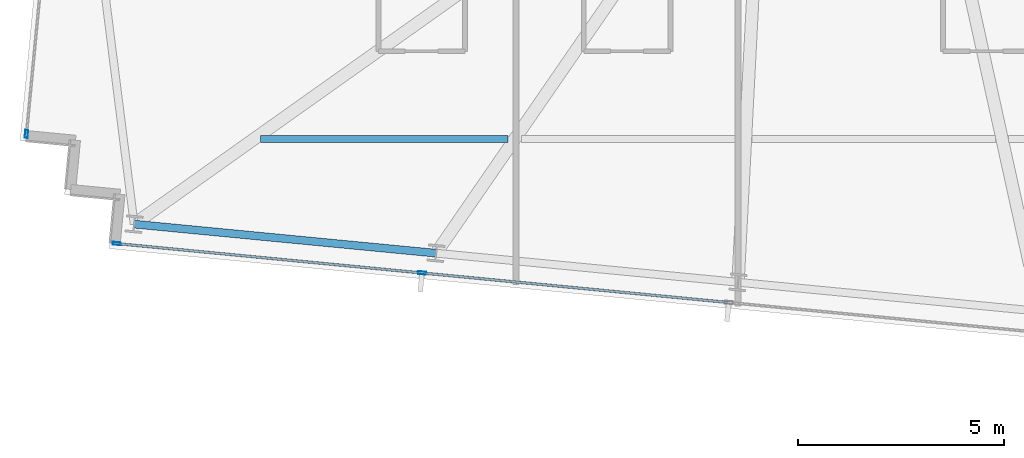
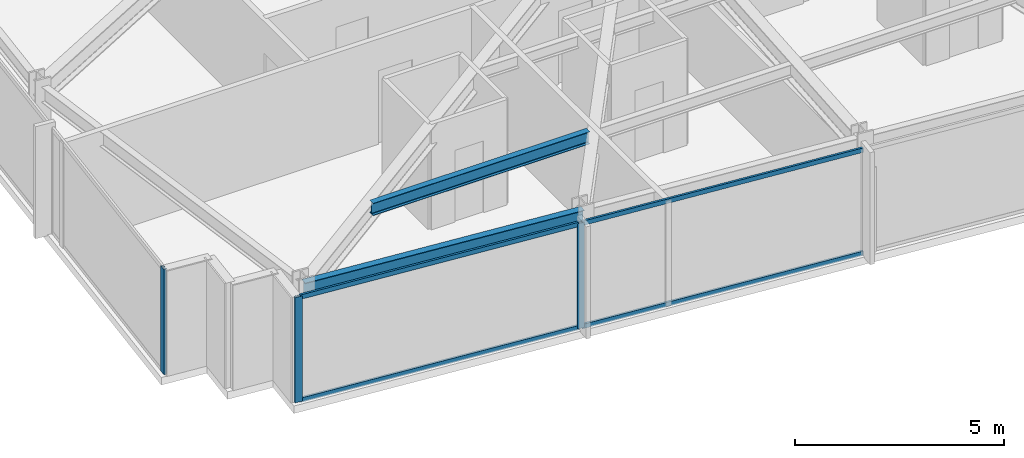
# One storey, part 2 of 37: 7 members, 2 beams, 2 elements without a shape of their own.
"""IFC4 building model written with IfcOpenShell, lengths in metres."""

from ifc_helpers import new_model, si_unit, direction, frame, origin, origin_2d, place, context, subcontext, project, spatial, hollow_rectangle, i_section, extrude, material, material_profile, profile_set, type_object, element, aggregate, save


model = new_model("IFC4")

# Units and contexts
model_context = context("Model", 3, precision=1e-05, world=origin(), true_north=direction((0.0, 1.0)))
body_context = subcontext(model_context, "Body", "Model", "MODEL_VIEW")
ifc_project = project(units=[si_unit("LENGTHUNIT", "METRE"), si_unit("AREAUNIT", "SQUARE_METRE"), si_unit("VOLUMEUNIT", "CUBIC_METRE"), si_unit("PLANEANGLEUNIT", "RADIAN"), si_unit("MASSUNIT", "GRAM", prefix="KILO")], contexts=[model_context])

# Site, building, storey
site_placement = place(None, origin())
site = spatial("IfcSite", under=ifc_project, at=site_placement, CompositionType="ELEMENT")
building_placement = place(site_placement, origin())
building = spatial("IfcBuilding", under=site, at=building_placement, Name="Yelkora Congress Tower", CompositionType="ELEMENT")
storey_placement = place(building_placement, frame((0.0, 0.0, 165.5)))
storey = spatial("IfcBuildingStorey", under=building, at=storey_placement, Name="L45", CompositionType="ELEMENT", Elevation=165.5)

# Beams
ifc_material_1 = material(Name="Steel S355J2", Category="steel")
ifc_material_profile_1 = material_profile(ifc_material_1, i_section(OverallWidth=0.169921875, OverallDepth=0.360107421875, WebThickness=0.008056640625, FlangeThickness=0.0126953125, FilletRadius=0.01806640625, at=origin_2d()), Name="IPE 360")
ifc_profile_set_1 = profile_set([ifc_material_profile_1], Name="Steel S355J2")
beam_type_1 = type_object("IfcBeamType", Name="BM-JOIST-IPE360", PredefinedType="JOIST", material=ifc_profile_set_1)
beam_1_placement = place(storey_placement, frame((6.98779296875, 16.421142578125, 2.89990234375), z_axis=(1.0, 0.0, 0.0), x_axis=(0.0, 1.0, 0.0)))
element("IfcBeam", 1, at=beam_1_placement, inside=storey, type_object=beam_type_1, Name="L45 Composite Floor Joist 5", PredefinedType="JOIST", context=body_context, shape_type="SweptSolid", body=[
    extrude(i_section(OverallWidth=0.169921875, OverallDepth=0.360107421875, WebThickness=0.008056640625, FlangeThickness=0.0126953125, FilletRadius=0.01806640625, at=origin_2d()), origin(), (0.0, 0.0, 1.0), 6.002685546875),
])
ifc_material_profile_2 = material_profile(ifc_material_1, i_section(OverallWidth=0.18994140625, OverallDepth=0.449951171875, WebThickness=0.009521484375, FlangeThickness=0.0146484375, FilletRadius=0.02099609375, at=origin_2d()), Name="IPE 450")
ifc_profile_set_2 = profile_set([ifc_material_profile_2], Name="Steel S355J2")
beam_type_2 = type_object("IfcBeamType", Name="BM-SPAN-IPE450", PredefinedType="SPANDREL", material=ifc_profile_set_2)
beam_2_placement = place(storey_placement, frame((3.919189453125, 14.357421875, 2.85498046875), z_axis=(0.995393938538, -0.095869218844, 0.0), x_axis=(0.095869218844, 0.995393938538, 0.0)))
element("IfcBeam", 2, at=beam_2_placement, inside=storey, type_object=beam_type_2, Name="L45 Perimeter Beam 2", PredefinedType="SPANDREL", context=body_context, shape_type="SweptSolid", body=[
    extrude(i_section(OverallWidth=0.18994140625, OverallDepth=0.449951171875, WebThickness=0.009521484375, FlangeThickness=0.0146484375, FilletRadius=0.02099609375, at=origin_2d()), origin(), (0.0, 0.0, 1.0), 7.357177734375),
])

# Curtain wall, member
ifc_material_2 = material(Name="Anodised aluminium and insulated glass", Category="aluminium")
curtain_wall_type = type_object("IfcCurtainWallType", Name="CW-SYS-B3", PredefinedType="NOTDEFINED", material=ifc_material_2)
curtain_wall_1_placement = place(storey_placement, origin())
curtain_wall_1 = element("IfcCurtainWall", 3, at=curtain_wall_1_placement, inside=storey, type_object=curtain_wall_type, Name="L45 Unitised Curtain Wall 5", PredefinedType="NOTDEFINED")
ifc_material_3 = material(Name="Anodised aluminium 6063-T6", Category="aluminium")
ifc_material_profile_3 = material_profile(ifc_material_3, hollow_rectangle(XDim=0.070068359375, YDim=0.18994140625, WallThickness=0.00390625, at=origin_2d()), Name="ALU 70x190x4")
ifc_profile_set_3 = profile_set([ifc_material_profile_3], Name="Anodised aluminium 6063-T6")
member_type_1 = type_object("IfcMemberType", Name="MEM-ML-B3", PredefinedType="MULLION", material=ifc_profile_set_3)
member_1_placement = place(storey_placement, frame((1.306640625, 16.542724609375, 0.0), z_axis=(0.0, 0.0, 1.0), x_axis=(-0.995396242473, 0.095845294465, 0.0)))
member_1 = element("IfcMember", 4, at=member_1_placement, type_object=member_type_1, Name="CW-B3 mullion 1", PredefinedType="MULLION", context=body_context, shape_type="SweptSolid", body=[
    extrude(hollow_rectangle(XDim=0.070068359375, YDim=0.18994140625, WallThickness=0.00390625, at=origin_2d()), origin(), (0.0, 0.0, 1.0), 3.080078125),
])
aggregate(curtain_wall_1, [member_1])

# Curtain wall, members
curtain_wall_2_placement = place(storey_placement, origin())
curtain_wall_2 = element("IfcCurtainWall", 5, at=curtain_wall_2_placement, inside=storey, type_object=curtain_wall_type, Name="L45 Unitised Curtain Wall 20", PredefinedType="NOTDEFINED")
member_2_placement = place(storey_placement, frame((10.902099609375, 13.172607421875, 0.0), z_axis=(0.0, 0.0, 1.0), x_axis=(-0.095844680679, -0.995396301573, 0.0)))
member_2 = element("IfcMember", 6, at=member_2_placement, type_object=member_type_1, Name="CW-B3 mullion 7", PredefinedType="MULLION", context=body_context, shape_type="SweptSolid", body=[
    extrude(hollow_rectangle(XDim=0.070068359375, YDim=0.18994140625, WallThickness=0.00390625, at=origin_2d()), origin(), (0.0, 0.0, 1.0), 3.080078125),
])
member_3_placement = place(storey_placement, frame((3.4970703125, 13.885498046875, 0.0), z_axis=(0.0, 0.0, 1.0), x_axis=(-0.095844680679, -0.995396301573, 0.0)))
member_3 = element("IfcMember", 7, at=member_3_placement, type_object=member_type_1, Name="CW-B3 mullion 8", PredefinedType="MULLION", context=body_context, shape_type="SweptSolid", body=[
    extrude(hollow_rectangle(XDim=0.070068359375, YDim=0.18994140625, WallThickness=0.00390625, at=origin_2d()), origin(), (0.0, 0.0, 1.0), 3.080078125),
])
ifc_material_profile_4 = material_profile(ifc_material_3, hollow_rectangle(XDim=0.06005859375, YDim=0.1298828125, WallThickness=0.00390625, at=origin_2d()), Name="ALU 60x130x4")
ifc_profile_set_4 = profile_set([ifc_material_profile_4], Name="Anodised aluminium 6063-T6")
member_type_2 = type_object("IfcMemberType", Name="MEM-TR-B3", PredefinedType="USERDEFINED", material=ifc_profile_set_4)
member_4_placement = place(storey_placement, frame((18.30712890625, 12.45947265625, 0.030029296875), z_axis=(-0.99539548672, 0.095853142967, 0.0), x_axis=(-0.095853142967, -0.99539548672, 0.0)))
member_4 = element("IfcMember", 8, at=member_4_placement, type_object=member_type_2, Name="CW-B3 transom 6.1", ObjectType="TRANSOM", PredefinedType="USERDEFINED", context=body_context, shape_type="SweptSolid", body=[
    extrude(hollow_rectangle(XDim=0.06005859375, YDim=0.1298828125, WallThickness=0.00390625, at=origin_2d()), origin(), (0.0, 0.0, 1.0), 7.404296875),
])
member_5_placement = place(storey_placement, frame((18.30712890625, 12.45947265625, 3.050048828125), z_axis=(-0.99539548672, 0.095853142967, 0.0), x_axis=(-0.095853142967, -0.99539548672, 0.0)))
member_5 = element("IfcMember", 9, at=member_5_placement, type_object=member_type_2, Name="CW-B3 transom 6.2", ObjectType="TRANSOM", PredefinedType="USERDEFINED", context=body_context, shape_type="SweptSolid", body=[
    extrude(hollow_rectangle(XDim=0.06005859375, YDim=0.1298828125, WallThickness=0.00390625, at=origin_2d()), origin(), (0.0, 0.0, 1.0), 7.404296875),
])
member_6_placement = place(storey_placement, frame((10.8671875, 13.17578125, 0.030029296875), z_axis=(-0.995396212442, 0.095845606344, 0.0), x_axis=(-0.095845606344, -0.995396212442, 0.0)))
member_6 = element("IfcMember", 10, at=member_6_placement, type_object=member_type_2, Name="CW-B3 transom 7.1", ObjectType="TRANSOM", PredefinedType="USERDEFINED", context=body_context, shape_type="SweptSolid", body=[
    extrude(hollow_rectangle(XDim=0.06005859375, YDim=0.1298828125, WallThickness=0.00390625, at=origin_2d()), origin(), (0.0, 0.0, 1.0), 7.369140625),
])
member_7_placement = place(storey_placement, frame((10.8671875, 13.17578125, 3.050048828125), z_axis=(-0.995396212442, 0.095845606344, 0.0), x_axis=(-0.095845606344, -0.995396212442, 0.0)))
member_7 = element("IfcMember", 11, at=member_7_placement, type_object=member_type_2, Name="CW-B3 transom 7.2", ObjectType="TRANSOM", PredefinedType="USERDEFINED", context=body_context, shape_type="SweptSolid", body=[
    extrude(hollow_rectangle(XDim=0.06005859375, YDim=0.1298828125, WallThickness=0.00390625, at=origin_2d()), origin(), (0.0, 0.0, 1.0), 7.369140625),
])
aggregate(curtain_wall_2, [member_2, member_3, member_4, member_5, member_6, member_7])

save(model, "model.ifc")
